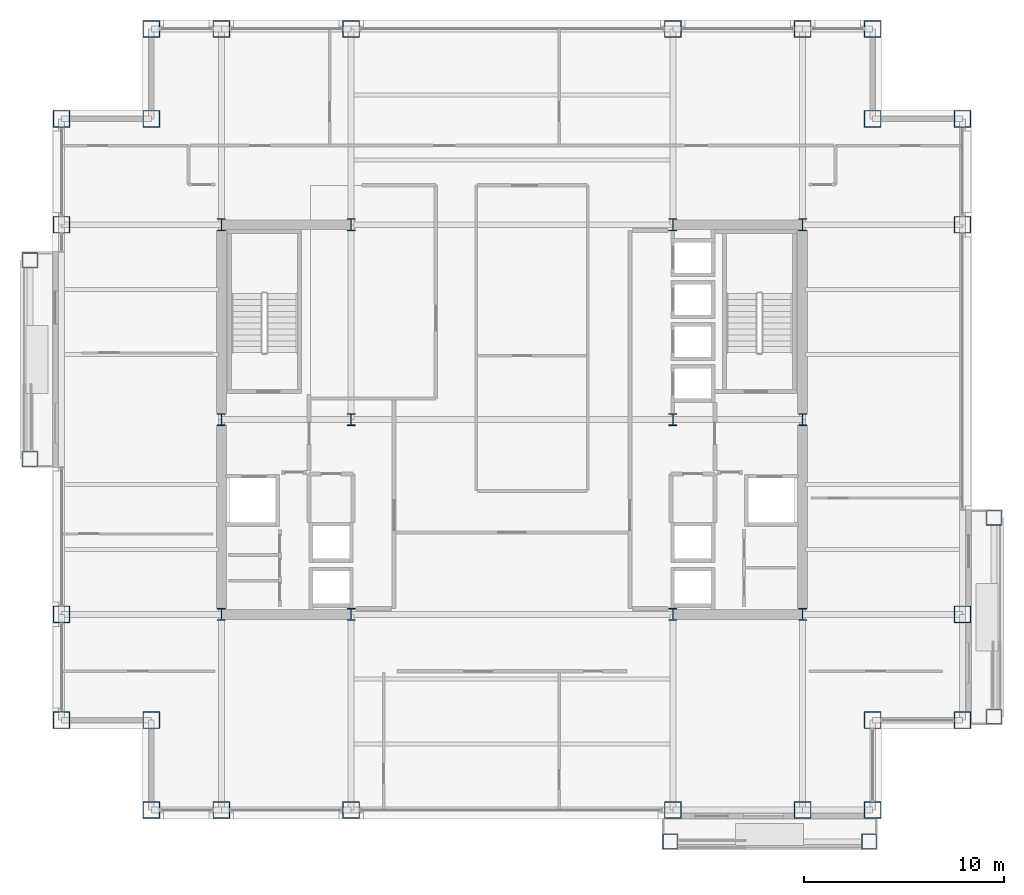
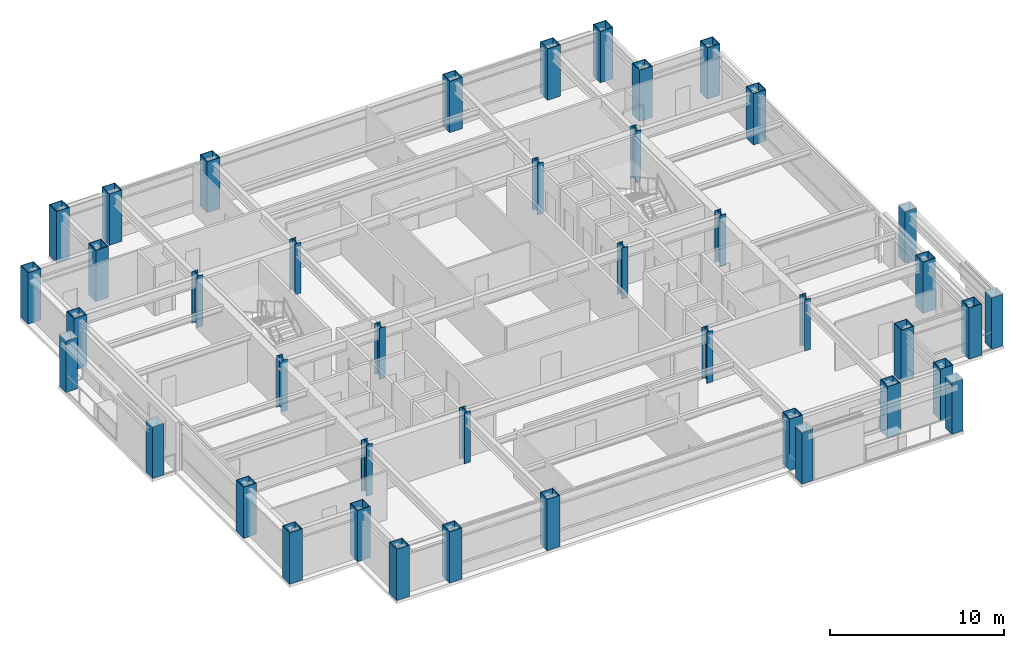
# One storey, part 1 of 31: 42 columns.
"""IFC4 building model written with IfcOpenShell, lengths in metres."""

from ifc_helpers import new_model, si_unit, direction, frame, origin, origin_2d, place, context, subcontext, project, spatial, hollow_rectangle, i_section, extrude, material, material_profile, profile_set, type_object, element, save


model = new_model("IFC4")

# Units and contexts
model_context = context("Model", 3, precision=1e-05, world=origin(), true_north=direction((0.0, 1.0)))
body_context = subcontext(model_context, "Body", "Model", "MODEL_VIEW")
ifc_project = project(units=[si_unit("LENGTHUNIT", "METRE"), si_unit("AREAUNIT", "SQUARE_METRE"), si_unit("VOLUMEUNIT", "CUBIC_METRE"), si_unit("PLANEANGLEUNIT", "RADIAN"), si_unit("MASSUNIT", "GRAM", prefix="KILO")], contexts=[model_context])

# Site, building, storey
site_placement = place(None, origin())
site = spatial("IfcSite", under=ifc_project, at=site_placement, CompositionType="ELEMENT")
building_placement = place(site_placement, origin())
building = spatial("IfcBuilding", under=site, at=building_placement, Name="Brelmoor Portico Tower", CompositionType="ELEMENT")
storey_placement = place(building_placement, frame((0.0, 0.0, 113.39990234375)))
storey = spatial("IfcBuildingStorey", under=building, at=storey_placement, Name="L29", CompositionType="ELEMENT", Elevation=113.39990234375)

# Columns
ifc_material = material(Name="Steel Q355B", Category="steel")
ifc_material_profile_1 = material_profile(ifc_material, hollow_rectangle(XDim=0.75, YDim=0.75, WallThickness=0.031982421875, at=origin_2d()), Name="BOX 750x750x32")
ifc_profile_set_1 = profile_set([ifc_material_profile_1], Name="Steel Q355B")
column_type_1 = type_object("IfcColumnType", Name="COL-MEGA-750", PredefinedType="COLUMN", material=ifc_profile_set_1)
for number, where, z_axis, x_axis, name in (
    (1, (7.919921875, -21.1298828125, 0.0), (0.0, 0.0, 1.0), (1.0, 0.0, 0.0), "L29 Proud Picture-Frame Pier PFJ-S1"),
    (2, (17.8798828125, -21.1298828125, 0.0), (0.0, 0.0, 1.0), (1.0, 0.0, 0.0), "L29 Proud Picture-Frame Pier PFJ-S2"),
    (3, (24.1298828125, -14.8798828125, 0.0), (0.0, 0.0, 1.0), (0.0, 1.0, 0.0), "L29 Proud Picture-Frame Pier PFJ-E1"),
    (4, (24.1298828125, -4.919921875, 0.0), (0.0, 0.0, 1.0), (0.0, 1.0, 0.0), "L29 Proud Picture-Frame Pier PFJ-E2"),
    (5, (-24.1298828125, -1.97998046875, 0.0), (0.0, 0.0, 1.0), (0.0, 1.0, 0.0), "L29 Proud Picture-Frame Pier PFJ-W1"),
    (6, (-24.1298828125, 7.97998046875, 0.0), (0.0, 0.0, 1.0), (0.0, 1.0, 0.0), "L29 Proud Picture-Frame Pier PFJ-W2"),
):
    element("IfcColumn", number, at=place(storey_placement, frame(where, z_axis=z_axis, x_axis=x_axis)), inside=storey, type_object=column_type_1, Name=name, PredefinedType="COLUMN", context=body_context, shape_type="SweptSolid", body=[
        extrude(hollow_rectangle(XDim=0.75, YDim=0.75, WallThickness=0.031982421875, at=origin_2d()), origin(), (0.0, 0.0, 1.0), 3.60009765625),
    ])
ifc_material_profile_2 = material_profile(ifc_material, hollow_rectangle(XDim=0.85009765625, YDim=0.85009765625, WallThickness=0.0400390625, at=origin_2d()), Name="BOX 850x850x40")
ifc_profile_set_2 = profile_set([ifc_material_profile_2], Name="Steel Q355B")
column_type_2 = type_object("IfcColumnType", Name="COL-MEGA-850", PredefinedType="COLUMN", material=ifc_profile_set_2)
for number, where, z_axis, x_axis, name in (
    (7, (-18.050048828125, -19.550048828125, 0.0), (0.0, 0.0, 1.0), (1.0, 0.0, 0.0), "L29 Perimeter Mega-Column PS01"),
    (8, (-14.550048828125, -19.550048828125, 0.0), (0.0, 0.0, 1.0), (1.0, 0.0, 0.0), "L29 Perimeter Mega-Column PS02"),
    (9, (-8.050048828125, -19.550048828125, 0.0), (0.0, 0.0, 1.0), (1.0, 0.0, 0.0), "L29 Perimeter Mega-Column PS03"),
    (10, (8.050048828125, -19.550048828125, 0.0), (0.0, 0.0, 1.0), (1.0, 0.0, 0.0), "L29 Perimeter Mega-Column PS04"),
    (11, (14.550048828125, -19.550048828125, 0.0), (0.0, 0.0, 1.0), (1.0, 0.0, 0.0), "L29 Perimeter Mega-Column PS05"),
    (12, (18.050048828125, -19.550048828125, 0.0), (0.0, 0.0, 1.0), (1.0, 0.0, 0.0), "L29 Perimeter Mega-Column PS06"),
    (13, (-18.050048828125, 19.550048828125, 0.0), (0.0, 0.0, 1.0), (1.0, 0.0, 0.0), "L29 Perimeter Mega-Column PN01"),
    (14, (-14.550048828125, 19.550048828125, 0.0), (0.0, 0.0, 1.0), (1.0, 0.0, 0.0), "L29 Perimeter Mega-Column PN02"),
    (15, (-8.050048828125, 19.550048828125, 0.0), (0.0, 0.0, 1.0), (1.0, 0.0, 0.0), "L29 Perimeter Mega-Column PN03"),
    (16, (8.050048828125, 19.550048828125, 0.0), (0.0, 0.0, 1.0), (1.0, 0.0, 0.0), "L29 Perimeter Mega-Column PN04"),
    (17, (14.550048828125, 19.550048828125, 0.0), (0.0, 0.0, 1.0), (1.0, 0.0, 0.0), "L29 Perimeter Mega-Column PN05"),
    (18, (18.050048828125, 19.550048828125, 0.0), (0.0, 0.0, 1.0), (1.0, 0.0, 0.0), "L29 Perimeter Mega-Column PN06"),
    (19, (-22.550048828125, -15.050048828125, 0.0), (0.0, 0.0, 1.0), (0.0, 1.0, 0.0), "L29 Perimeter Mega-Column PW01"),
    (20, (-22.550048828125, -9.75, 0.0), (0.0, 0.0, 1.0), (0.0, 1.0, 0.0), "L29 Perimeter Mega-Column PW02"),
    (21, (-22.550048828125, 9.75, 0.0), (0.0, 0.0, 1.0), (0.0, 1.0, 0.0), "L29 Perimeter Mega-Column PW03"),
    (22, (-22.550048828125, 15.050048828125, 0.0), (0.0, 0.0, 1.0), (0.0, 1.0, 0.0), "L29 Perimeter Mega-Column PW04"),
    (23, (22.550048828125, -15.050048828125, 0.0), (0.0, 0.0, 1.0), (0.0, 1.0, 0.0), "L29 Perimeter Mega-Column PE01"),
    (24, (22.550048828125, -9.75, 0.0), (0.0, 0.0, 1.0), (0.0, 1.0, 0.0), "L29 Perimeter Mega-Column PE02"),
    (25, (22.550048828125, 9.75, 0.0), (0.0, 0.0, 1.0), (0.0, 1.0, 0.0), "L29 Perimeter Mega-Column PE03"),
    (26, (22.550048828125, 15.050048828125, 0.0), (0.0, 0.0, 1.0), (0.0, 1.0, 0.0), "L29 Perimeter Mega-Column PE04"),
    (27, (-18.050048828125, 15.050048828125, 0.0), (0.0, 0.0, 1.0), (1.0, 0.0, 0.0), "L29 Perimeter Mega-Column PC-NW"),
    (28, (18.050048828125, 15.050048828125, 0.0), (0.0, 0.0, 1.0), (1.0, 0.0, 0.0), "L29 Perimeter Mega-Column PC-NE"),
    (29, (18.050048828125, -15.050048828125, 0.0), (0.0, 0.0, 1.0), (1.0, 0.0, 0.0), "L29 Perimeter Mega-Column PC-SE"),
    (30, (-18.050048828125, -15.050048828125, 0.0), (0.0, 0.0, 1.0), (1.0, 0.0, 0.0), "L29 Perimeter Mega-Column PC-SW"),
):
    element("IfcColumn", number, at=place(storey_placement, frame(where, z_axis=z_axis, x_axis=x_axis)), inside=storey, type_object=column_type_2, Name=name, PredefinedType="COLUMN", context=body_context, shape_type="SweptSolid", body=[
        extrude(hollow_rectangle(XDim=0.85009765625, YDim=0.85009765625, WallThickness=0.0400390625, at=origin_2d()), origin(), (0.0, 0.0, 1.0), 3.60009765625),
    ])
ifc_material_profile_3 = material_profile(ifc_material, i_section(OverallWidth=0.39990234375, OverallDepth=0.60009765625, WebThickness=0.02197265625, FlangeThickness=0.035888671875, at=origin_2d()), Name="HW 600x400x22x36")
ifc_profile_set_3 = profile_set([ifc_material_profile_3], Name="Steel Q355B")
column_type_3 = type_object("IfcColumnType", Name="COL-SPINE-600", PredefinedType="COLUMN", material=ifc_profile_set_3)
for number, where, z_axis, x_axis, name in (
    (31, (-14.550048828125, -9.75, 0.0), (0.0, 0.0, 1.0), (1.0, 0.0, 0.0), "L29 Core Spine Column CW-SW"),
    (32, (-14.550048828125, 0.0, 0.0), (0.0, 0.0, 1.0), (1.0, 0.0, 0.0), "L29 Core Spine Column CW-MW"),
    (33, (-14.550048828125, 9.75, 0.0), (0.0, 0.0, 1.0), (1.0, 0.0, 0.0), "L29 Core Spine Column CW-NW"),
    (34, (-8.050048828125, -9.75, 0.0), (0.0, 0.0, 1.0), (1.0, 0.0, 0.0), "L29 Core Spine Column CW-SE"),
    (35, (-8.050048828125, 0.0, 0.0), (0.0, 0.0, 1.0), (1.0, 0.0, 0.0), "L29 Core Spine Column CW-ME"),
    (36, (-8.050048828125, 9.75, 0.0), (0.0, 0.0, 1.0), (1.0, 0.0, 0.0), "L29 Core Spine Column CW-NE"),
    (37, (8.050048828125, -9.75, 0.0), (0.0, 0.0, 1.0), (1.0, 0.0, 0.0), "L29 Core Spine Column CE-SW"),
    (38, (8.050048828125, 0.0, 0.0), (0.0, 0.0, 1.0), (1.0, 0.0, 0.0), "L29 Core Spine Column CE-MW"),
    (39, (8.050048828125, 9.75, 0.0), (0.0, 0.0, 1.0), (1.0, 0.0, 0.0), "L29 Core Spine Column CE-NW"),
    (40, (14.550048828125, -9.75, 0.0), (0.0, 0.0, 1.0), (1.0, 0.0, 0.0), "L29 Core Spine Column CE-SE"),
    (41, (14.550048828125, 0.0, 0.0), (0.0, 0.0, 1.0), (1.0, 0.0, 0.0), "L29 Core Spine Column CE-ME"),
    (42, (14.550048828125, 9.75, 0.0), (0.0, 0.0, 1.0), (1.0, 0.0, 0.0), "L29 Core Spine Column CE-NE"),
):
    element("IfcColumn", number, at=place(storey_placement, frame(where, z_axis=z_axis, x_axis=x_axis)), inside=storey, type_object=column_type_3, Name=name, PredefinedType="COLUMN", context=body_context, shape_type="SweptSolid", body=[
        extrude(i_section(OverallWidth=0.39990234375, OverallDepth=0.60009765625, WebThickness=0.02197265625, FlangeThickness=0.035888671875, at=origin_2d()), origin(), (0.0, 0.0, 1.0), 3.60009765625),
    ])

save(model, "model.ifc")
